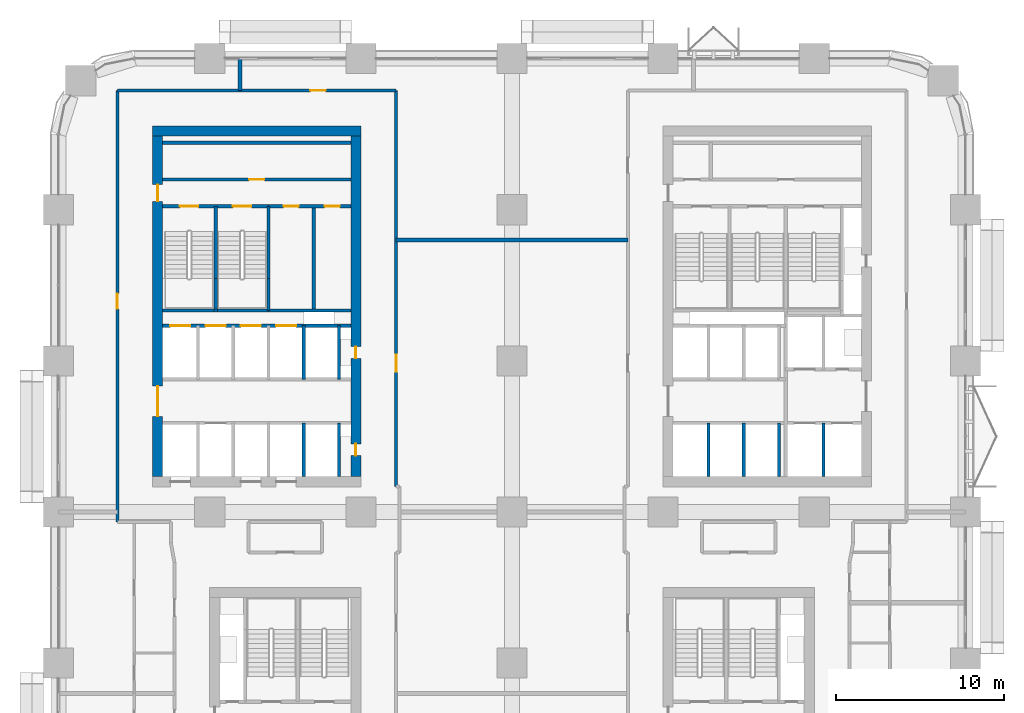
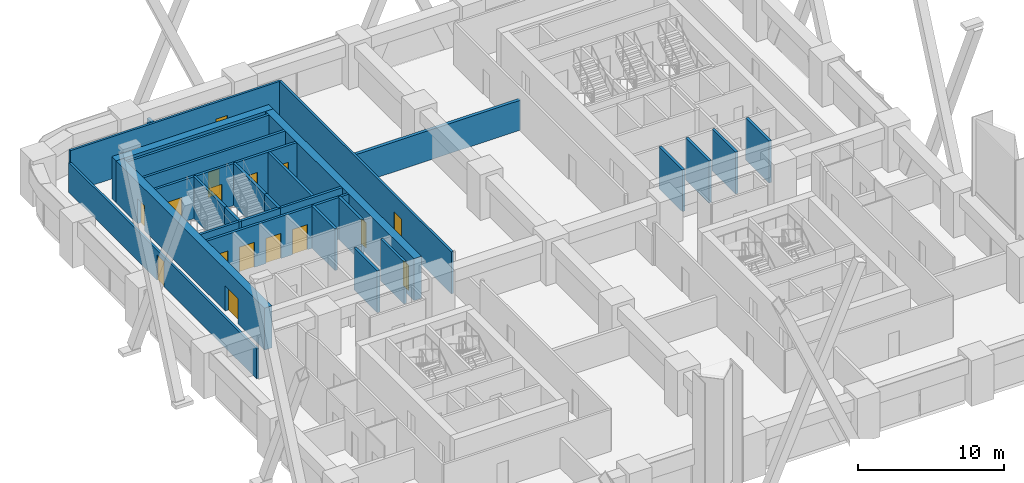
# One storey, part 18 of 24: 30 walls, 16 doors, 16 openings.
"""IFC4 building model written with IfcOpenShell, lengths in metres."""

import ifcopenshell
import ifcopenshell.guid

model = None  # the IFC model being written
_history = None  # IfcOwnerHistory: only IFC2X3 demands one
_inside = {}  # id of a spatial element -> (the spatial element, [elements in it])
_under = {}  # id of a project, library or spatial element -> (it, [spatial elements below it])
_declared = {}  # id of a project -> (the project, [libraries it declares])
_typed = {}  # id of a type object -> (the type object, [elements of that type])
_made_of = {}  # id of a material, layer set ... -> (it, [elements and type objects made of it])


def new_model(schema):
    """Start an empty IFC model of exactly this schema.

    Asked for "IFC4X3", IfcOpenShell would pick the latest addendum, in which some entities
    have other attributes; the version numbers below select the first issue.
    IFC2X3 requires an IfcOwnerHistory on every rooted entity: one is made here for all.
    """
    global model, _history
    if schema == "IFC4X3":
        model = ifcopenshell.file(schema_version=(4, 3, 0, 0))
    else:
        model = ifcopenshell.file(schema=schema)
    _inside.clear()
    _under.clear()
    _declared.clear()
    _typed.clear()
    _made_of.clear()
    _history = None
    if model.schema == "IFC2X3":
        org = make("IfcOrganization", Name="unknown")
        user = make(
            "IfcPersonAndOrganization",
            ThePerson=make("IfcPerson", FamilyName="unknown"),
            TheOrganization=org,
        )
        app = make(
            "IfcApplication",
            ApplicationDeveloper=org,
            Version="unknown",
            ApplicationFullName="unknown",
            ApplicationIdentifier="unknown",
        )
        _history = make(
            "IfcOwnerHistory",
            OwningUser=user,
            OwningApplication=app,
            ChangeAction="ADDED",
            CreationDate=0,
        )
    return model


def make(cls, **values):
    """One entity of the class cls with the attributes given. An attribute that is None is left unset."""
    return model.create_entity(
        cls, **{name: value for name, value in values.items() if value is not None}
    )


def rooted(cls, **values):
    """An entity with a GlobalId (a new one), such as an element, a storey or a relation."""
    return make(cls, GlobalId=ifcopenshell.guid.new(), OwnerHistory=_history, **values)


def si_unit(unit_type, name, prefix=None):
    """IfcSIUnit, for example si_unit("LENGTHUNIT", "METRE", prefix="MILLI")."""
    return make("IfcSIUnit", UnitType=unit_type, Prefix=prefix, Name=name)


def assignment(units):
    """IfcUnitAssignment: the units of a project."""
    return None if units is None else make("IfcUnitAssignment", Units=units)


def point(xyz):
    """IfcCartesianPoint."""
    return None if xyz is None else make("IfcCartesianPoint", Coordinates=xyz)


def direction(xyz):
    """IfcDirection."""
    return None if xyz is None else make("IfcDirection", DirectionRatios=xyz)


def frame(location, z_axis=None, x_axis=None):
    """IfcAxis2Placement3D, a coordinate frame: its origin and axes. An axis left out is left unset."""
    return make(
        "IfcAxis2Placement3D",
        Location=point(location),
        Axis=direction(z_axis),
        RefDirection=direction(x_axis),
    )


def frame_2d(location, x_axis=None):
    """IfcAxis2Placement2D, a coordinate frame in the plane: its origin and x axis."""
    return make(
        "IfcAxis2Placement2D", Location=point(location), RefDirection=direction(x_axis)
    )


def origin():
    """The frame at (0, 0, 0) with its axes left unset."""
    return frame((0.0, 0.0, 0.0))


def place(relative_to, where):
    """IfcLocalPlacement: puts the frame where relative to a parent placement (None: the world)."""
    return make(
        "IfcLocalPlacement", PlacementRelTo=relative_to, RelativePlacement=where
    )


def context(
    kind, dimensions, precision=None, world=None, true_north=None, identifier=None
):
    """IfcGeometricRepresentationContext, for example the 3D "Model" context."""
    return make(
        "IfcGeometricRepresentationContext",
        ContextIdentifier=identifier,
        ContextType=kind,
        CoordinateSpaceDimension=dimensions,
        Precision=precision,
        WorldCoordinateSystem=world,
        TrueNorth=true_north,
    )


def subcontext(parent, identifier, kind, view, scale=None):
    """IfcGeometricRepresentationSubContext, for example "Body" below "Model"."""
    return make(
        "IfcGeometricRepresentationSubContext",
        ContextIdentifier=identifier,
        ContextType=kind,
        ParentContext=parent,
        TargetScale=scale,
        TargetView=view,
    )


def project(units=None, contexts=None):
    """IfcProject with its units and contexts."""
    return rooted(
        "IfcProject",
        Name="project",
        RepresentationContexts=contexts,
        UnitsInContext=assignment(units),
    )


def spatial(cls, under=None, at=None, **own):
    """A site, building, storey or space (cls), placed at a placement, below another one or the project."""
    s = rooted(cls, ObjectPlacement=at, **own)
    if under is not None:
        _under.setdefault(under.id(), (under, []))[1].append(s)
    return s


def profile(cls, at=None, kind="AREA", **sizes):
    """A parametric profile (cls). Its sizes go by their IFC names, for example OverallWidth=200.0."""
    return make(cls, ProfileType=kind, Position=at, **sizes)


def rectangle(**sizes):
    """IfcRectangleProfileDef."""
    return profile("IfcRectangleProfileDef", **sizes)


def extrude(swept, where, along, depth):
    """IfcExtrudedAreaSolid: the profile swept, set in the frame where, extruded along a direction by depth."""
    return make(
        "IfcExtrudedAreaSolid",
        SweptArea=swept,
        Position=where,
        ExtrudedDirection=direction(along),
        Depth=depth,
    )


def shape(context_of_items, identifier, shape_type, items):
    """IfcShapeRepresentation: the items that make up one representation, for example the "Body"."""
    return make(
        "IfcShapeRepresentation",
        ContextOfItems=context_of_items,
        RepresentationIdentifier=identifier,
        RepresentationType=shape_type,
        Items=items,
    )


def material(Name=None, Category=None):
    """IfcMaterial."""
    return make("IfcMaterial", Name=Name, Category=Category)


def layer(
    of_material, thickness, ventilated=None, Name=None, Category=None, Priority=None
):
    """IfcMaterialLayer: one layer of a wall or slab, of a material (None: an air gap)."""
    return make(
        "IfcMaterialLayer",
        Material=of_material,
        LayerThickness=thickness,
        IsVentilated=ventilated,
        Name=Name,
        Category=Category,
        Priority=Priority,
    )


def layer_set(layers, Name=None):
    """IfcMaterialLayerSet."""
    return make("IfcMaterialLayerSet", MaterialLayers=layers, LayerSetName=Name)


def made_of(thing, what):
    """Note that an element or type object is made of a material, layer set ...; save() writes the relation."""
    if what is not None:
        _made_of.setdefault(what.id(), (what, []))[1].append(thing)
    return thing


def type_object(cls, material=None, **own):
    """A type object (cls), such as IfcWallType, which elements share."""
    return made_of(rooted(cls, **own), material)


def element(
    cls,
    number,
    at=None,
    inside=None,
    cuts=None,
    type_object=None,
    material=None,
    context=None,
    identifier="Body",
    shape_type=None,
    held_by="IfcProductDefinitionShape",
    body=None,
    shapes=None,
    **own,
):
    """One element of the class cls, such as IfcWall. Its Tag is "e" and its number.

    at: its placement. inside: the storey or other place that contains it. cuts: it is an
    opening in that element (IfcRelVoidsElement). A single representation is given by context,
    identifier, shape_type and body (its items); several are given by shapes. held_by: the class
    of the entity that holds the representations. save() writes the other relations.
    """
    e = rooted(cls, Tag="e%d" % number, ObjectPlacement=at, **own)
    if body is not None:
        shapes = [shape(context, identifier, shape_type, body)]
    if shapes is not None:
        e.Representation = make(held_by, Representations=shapes)
    if inside is not None:
        _inside.setdefault(inside.id(), (inside, []))[1].append(e)
    if cuts is not None:
        rooted(
            "IfcRelVoidsElement", RelatingBuildingElement=cuts, RelatedOpeningElement=e
        )
    if type_object is not None:
        _typed.setdefault(type_object.id(), (type_object, []))[1].append(e)
    return made_of(e, material)


def fill(opening, filler):
    """IfcRelFillsElement: the door or window that sits in an opening."""
    return rooted(
        "IfcRelFillsElement",
        RelatingOpeningElement=opening,
        RelatedBuildingElement=filler,
    )


def aggregate(whole, parts):
    """IfcRelAggregates: a whole, such as a stair, and the parts it consists of."""
    return rooted("IfcRelAggregates", RelatingObject=whole, RelatedObjects=parts)


def save(model, path):
    """Write the relations noted so far, then the file.

    IfcRelAggregates (storeys below a building ...), IfcRelContainedInSpatialStructure (elements
    in a storey), IfcRelDefinesByType, IfcRelAssociatesMaterial and IfcRelDeclares: one each for
    every whole, place, type object, material and project.
    """
    for whole, parts in _under.values():
        aggregate(whole, parts)
    for where, things in _inside.values():
        rooted(
            "IfcRelContainedInSpatialStructure",
            RelatedElements=things,
            RelatingStructure=where,
        )
    for kind, things in _typed.values():
        rooted("IfcRelDefinesByType", RelatedObjects=things, RelatingType=kind)
    for what, things in _made_of.values():
        rooted("IfcRelAssociatesMaterial", RelatedObjects=things, RelatingMaterial=what)
    for by, libraries in _declared.values():
        rooted("IfcRelDeclares", RelatingContext=by, RelatedDefinitions=libraries)
    model.write(path)


model = new_model("IFC4")

# Units and contexts
model_context = context("Model", 3, precision=1e-05, world=origin(), true_north=direction((0.0, 1.0)))
body_context = subcontext(model_context, "Body", "Model", "MODEL_VIEW")
ifc_project = project(units=[si_unit("LENGTHUNIT", "METRE"), si_unit("AREAUNIT", "SQUARE_METRE"), si_unit("VOLUMEUNIT", "CUBIC_METRE"), si_unit("PLANEANGLEUNIT", "RADIAN"), si_unit("MASSUNIT", "GRAM", prefix="KILO")], contexts=[model_context])

# Site, building, storey
site_placement = place(None, origin())
site = spatial("IfcSite", under=ifc_project, at=site_placement, CompositionType="ELEMENT")
building_placement = place(site_placement, origin())
building = spatial("IfcBuilding", under=site, at=building_placement, Name="Tessera Arch", CompositionType="ELEMENT")
storey_placement = place(building_placement, frame((0.0, 0.0, 61.39990234375)))
storey = spatial("IfcBuildingStorey", under=building, at=storey_placement, Name="L13", CompositionType="ELEMENT", Elevation=61.39990234375)

# Wall
ifc_material_1 = material(Name="Gypsum board on steel stud", Category="steel")
ifc_layer_1 = layer(ifc_material_1, 0.125)
ifc_layer_set_1 = layer_set([ifc_layer_1], Name="Core partition 125 EI 60")
wall_type_1 = type_object("IfcWallType", Name="Core partition 125 EI 60", PredefinedType="PARTITIONING", material=ifc_layer_set_1)
wall_1_placement = place(storey_placement, frame((15.195068359375, 39.0, 0.0), z_axis=(0.0, 0.0, 1.0), x_axis=(0.0, 1.0, 0.0)))
element("IfcWall", 1, at=wall_1_placement, inside=storey, type_object=wall_type_1, Name="L13 C2 partition wall 13", PredefinedType="PARTITIONING", context=body_context, shape_type="SweptSolid", body=[
    extrude(rectangle(XDim=6.199951171875, YDim=0.199951171875, at=frame_2d((3.10009765625, 0.0))), origin(), (0.0, 0.0, 1.0), 3.5),
])

# Wall, openings, doors
wall_2_placement = place(storey_placement, frame((12.5, 45.199951171875, 0.0), z_axis=(0.0, 0.0, 1.0), x_axis=(1.0, 0.0, 0.0)))
wall_2 = element("IfcWall", 2, at=wall_2_placement, inside=storey, type_object=wall_type_1, Name="L13 C2 partition wall 23", PredefinedType="PARTITIONING", context=body_context, shape_type="SweptSolid", body=[
    extrude(rectangle(XDim=4.89990234375, YDim=0.199951171875, at=frame_2d((2.449951171875, 0.0))), origin(), (0.0, 0.0, 1.0), 3.5),
])
opening_1_placement = place(wall_2_placement, frame((0.8974609375, 0.0, 0.0)))
opening_1 = element("IfcOpeningElement", 3, at=opening_1_placement, cuts=wall_2, Name="Opening L13-C29", PredefinedType="OPENING", context=body_context, shape_type="SweptSolid", body=[
    extrude(rectangle(XDim=0.89990234375, YDim=2.10009765625, at=frame_2d((0.449951171875, 1.050048828125))), frame((0.0, 0.10986328125, 0.0), z_axis=(0.0, -1.0, 0.0), x_axis=(1.0, 0.0, 0.0)), (0.0, 0.0, 1.0), 0.219970703125),
])
opening_2_placement = place(wall_2_placement, frame((3.347412109375, 0.0, 0.0)))
opening_2 = element("IfcOpeningElement", 4, at=opening_2_placement, cuts=wall_2, Name="Opening L13-C30", PredefinedType="OPENING", context=body_context, shape_type="SweptSolid", body=[
    extrude(rectangle(XDim=0.89990234375, YDim=2.10009765625, at=frame_2d((0.449951171875, 1.050048828125))), frame((0.0, 0.10986328125, 0.0), z_axis=(0.0, -1.0, 0.0), x_axis=(1.0, 0.0, 0.0)), (0.0, 0.0, 1.0), 0.219970703125),
])
ifc_material_2 = material(Name="Steel door leaf", Category="steel")
door_type_1 = type_object("IfcDoorType", Name="Store door FD30S 900 x 2100", OperationType="SINGLE_SWING_LEFT", PredefinedType="DOOR", material=ifc_material_2)
door_1_placement = place(opening_1_placement, origin())
door_1 = element("IfcDoor", 5, at=door_1_placement, inside=storey, type_object=door_type_1, Name="L13 C2 door 16 C29 type D09", OperationType="SINGLE_SWING_LEFT", OverallHeight=2.10009765625, OverallWidth=0.89990234375, PredefinedType="DOOR", context=body_context, shape_type="SweptSolid", body=[
    extrude(rectangle(XDim=0.89990234375, YDim=2.10009765625, at=frame_2d((0.449951171875, 1.050048828125))), frame((0.0, 0.02490234375, 0.0), z_axis=(0.0, -1.0, 0.0), x_axis=(1.0, 0.0, 0.0)), (0.0, 0.0, 1.0), 0.050048828125),
])
fill(opening_1, door_1)
door_2_placement = place(opening_2_placement, origin())
door_2 = element("IfcDoor", 6, at=door_2_placement, inside=storey, type_object=door_type_1, Name="L13 C2 door 17 C30 type D09", OperationType="SINGLE_SWING_RIGHT", OverallHeight=2.10009765625, OverallWidth=0.89990234375, PredefinedType="DOOR", context=body_context, shape_type="SweptSolid", body=[
    extrude(rectangle(XDim=0.89990234375, YDim=2.10009765625, at=frame_2d((0.449951171875, 1.050048828125))), frame((0.0, 0.02490234375, 0.0), z_axis=(0.0, -1.0, 0.0), x_axis=(1.0, 0.0, 0.0)), (0.0, 0.0, 1.0), 0.050048828125),
])
fill(opening_2, door_2)

# Wall, opening, door
wall_3_placement = place(storey_placement, frame((6.199951171875, 46.800048828125, 0.0), z_axis=(0.0, 0.0, 1.0), x_axis=(1.0, 0.0, 0.0)))
wall_3 = element("IfcWall", 7, at=wall_3_placement, inside=storey, type_object=wall_type_1, Name="L13 C2 partition wall 25", PredefinedType="PARTITIONING", context=body_context, shape_type="SweptSolid", body=[
    extrude(rectangle(XDim=11.199951171875, YDim=0.199951171875, at=frame_2d((5.60009765625, 0.0))), origin(), (0.0, 0.0, 1.0), 3.5),
])
opening_3_placement = place(wall_3_placement, frame((5.14990234375, 0.0, 0.0)))
opening_3 = element("IfcOpeningElement", 8, at=opening_3_placement, cuts=wall_3, Name="Opening L13-C28", PredefinedType="OPENING", context=body_context, shape_type="SweptSolid", body=[
    extrude(rectangle(XDim=0.89990234375, YDim=2.10009765625, at=frame_2d((0.449951171875, 1.050048828125))), frame((0.0, 0.10986328125, 0.0), z_axis=(0.0, -1.0, 0.0), x_axis=(1.0, 0.0, 0.0)), (0.0, 0.0, 1.0), 0.219970703125),
])
door_3_placement = place(opening_3_placement, origin())
door_3 = element("IfcDoor", 9, at=door_3_placement, inside=storey, type_object=door_type_1, Name="L13 C2 door 15 C28 type D09", OperationType="SINGLE_SWING_RIGHT", OverallHeight=2.10009765625, OverallWidth=0.89990234375, PredefinedType="DOOR", context=body_context, shape_type="SweptSolid", body=[
    extrude(rectangle(XDim=0.89990234375, YDim=2.10009765625, at=frame_2d((0.449951171875, 1.050048828125))), frame((0.0, 0.02490234375, 0.0), z_axis=(0.0, -1.0, 0.0), x_axis=(1.0, 0.0, 0.0)), (0.0, 0.0, 1.0), 0.050048828125),
])
fill(opening_3, door_3)

# Walls
wall_4_placement = place(storey_placement, frame((6.199951171875, 49.0, 0.0), z_axis=(0.0, 0.0, 1.0), x_axis=(1.0, 0.0, 0.0)))
element("IfcWall", 10, at=wall_4_placement, inside=storey, type_object=wall_type_1, Name="L13 C2 partition wall 26", PredefinedType="PARTITIONING", context=body_context, shape_type="SweptSolid", body=[
    extrude(rectangle(XDim=11.199951171875, YDim=0.199951171875, at=frame_2d((5.60009765625, 0.0))), origin(), (0.0, 0.0, 1.0), 3.5),
])
ifc_material_3 = material(Name="Concrete C70/85", Category="concrete")
ifc_layer_2 = layer(ifc_material_3, 0.60009765625)
ifc_layer_set_2 = layer_set([ifc_layer_2], Name="Core shell wall 600 C70-85")
wall_type_2 = type_object("IfcWallType", Name="Core shell wall 600 C70-85", PredefinedType="SHEAR", material=ifc_layer_set_2)
wall_5_placement = place(storey_placement, frame((5.60009765625, 49.699951171875, 0.0), z_axis=(0.0, 0.0, 1.0), x_axis=(1.0, 0.0, 0.0)))
element("IfcWall", 11, at=wall_5_placement, inside=storey, type_object=wall_type_2, Name="L13 C2 core wall N", PredefinedType="SHEAR", context=body_context, shape_type="SweptSolid", body=[
    extrude(rectangle(XDim=12.39990234375, YDim=0.60009765625, at=frame_2d((6.199951171875, 0.0))), origin(), (0.0, 0.0, 1.0), 3.5),
])

# Wall, openings, doors
wall_6_placement = place(storey_placement, frame((5.89990234375, 29.10009765625, 0.0), z_axis=(0.0, 0.0, 1.0), x_axis=(0.0, 1.0, 0.0)))
wall_6 = element("IfcWall", 12, at=wall_6_placement, inside=storey, type_object=wall_type_2, Name="L13 C2 core wall W", PredefinedType="SHEAR", context=body_context, shape_type="SweptSolid", body=[
    extrude(rectangle(XDim=20.2998046875, YDim=0.60009765625, at=frame_2d((10.14990234375, 0.0))), origin(), (0.0, 0.0, 1.0), 3.5),
])
opening_4_placement = place(wall_6_placement, frame((3.60009765625, 0.0, 0.0)))
opening_4 = element("IfcOpeningElement", 13, at=opening_4_placement, cuts=wall_6, Name="Opening L13-C24", PredefinedType="OPENING", context=body_context, shape_type="SweptSolid", body=[
    extrude(rectangle(XDim=1.800048828125, YDim=2.10009765625, at=frame_2d((0.89990234375, 1.050048828125))), frame((0.0, 0.31005859375, 0.0), z_axis=(0.0, -1.0, 0.0), x_axis=(1.0, 0.0, 0.0)), (0.0, 0.0, 1.0), 0.6201171875),
])
opening_5_placement = place(wall_6_placement, frame((16.39990234375, 0.0, 0.0)))
opening_5 = element("IfcOpeningElement", 14, at=opening_5_placement, cuts=wall_6, Name="Opening L13-C27", PredefinedType="OPENING", context=body_context, shape_type="SweptSolid", body=[
    extrude(rectangle(XDim=1.0, YDim=2.10009765625, at=frame_2d((0.5, 1.050048828125))), frame((0.0, 0.31005859375, 0.0), z_axis=(0.0, -1.0, 0.0), x_axis=(1.0, 0.0, 0.0)), (0.0, 0.0, 1.0), 0.6201171875),
])
ifc_material_4 = material(Name="Steel door leaf", Category="steel")
door_type_2 = type_object("IfcDoorType", Name="Corridor door FD60 1000 x 2100", OperationType="SINGLE_SWING_LEFT", PredefinedType="DOOR", material=ifc_material_4)
door_4_placement = place(opening_5_placement, origin())
door_4 = element("IfcDoor", 15, at=door_4_placement, inside=storey, type_object=door_type_2, Name="L13 C2 door 14 C27 type D12", OperationType="SINGLE_SWING_RIGHT", OverallHeight=2.10009765625, OverallWidth=1.0, PredefinedType="DOOR", context=body_context, shape_type="SweptSolid", body=[
    extrude(rectangle(XDim=1.0, YDim=2.10009765625, at=frame_2d((0.5, 1.050048828125))), frame((0.0, 0.02490234375, 0.0), z_axis=(0.0, -1.0, 0.0), x_axis=(1.0, 0.0, 0.0)), (0.0, 0.0, 1.0), 0.050048828125),
])
fill(opening_5, door_4)
ifc_material_5 = material(Name="Glazed steel door leaf", Category="steel")
door_type_3 = type_object("IfcDoorType", Name="Lobby double door FD30S 1800 x 2100", OperationType="DOUBLE_DOOR_SINGLE_SWING", PredefinedType="DOOR", material=ifc_material_5)
door_5_placement = place(opening_4_placement, origin())
door_5 = element("IfcDoor", 16, at=door_5_placement, inside=storey, type_object=door_type_3, Name="L13 C2 door 11 C24 type D06", OperationType="DOUBLE_DOOR_SINGLE_SWING", OverallHeight=2.10009765625, OverallWidth=1.800048828125, PredefinedType="DOOR", context=body_context, shape_type="SweptSolid", body=[
    extrude(rectangle(XDim=1.800048828125, YDim=2.10009765625, at=frame_2d((0.89990234375, 1.050048828125))), frame((0.0, 0.02490234375, 0.0), z_axis=(0.0, -1.0, 0.0), x_axis=(1.0, 0.0, 0.0)), (0.0, 0.0, 1.0), 0.050048828125),
])
fill(opening_4, door_5)

wall_7_placement = place(storey_placement, frame((17.699951171875, 29.10009765625, 0.0), z_axis=(0.0, 0.0, 1.0), x_axis=(0.0, 1.0, 0.0)))
wall_7 = element("IfcWall", 17, at=wall_7_placement, inside=storey, type_object=wall_type_2, Name="L13 C2 core wall E", PredefinedType="SHEAR", context=body_context, shape_type="SweptSolid", body=[
    extrude(rectangle(XDim=20.2998046875, YDim=0.60009765625, at=frame_2d((10.14990234375, 0.0))), origin(), (0.0, 0.0, 1.0), 3.5),
])
opening_6_placement = place(wall_7_placement, frame((1.25, 0.0, 0.0)))
opening_6 = element("IfcOpeningElement", 18, at=opening_6_placement, cuts=wall_7, Name="Opening L13-C22", PredefinedType="OPENING", context=body_context, shape_type="SweptSolid", body=[
    extrude(rectangle(XDim=0.699951171875, YDim=2.10009765625, at=frame_2d((0.35009765625, 1.050048828125))), frame((0.0, 0.31005859375, 0.0), z_axis=(0.0, -1.0, 0.0), x_axis=(1.0, 0.0, 0.0)), (0.0, 0.0, 1.0), 0.6201171875),
])
opening_7_placement = place(wall_7_placement, frame((7.050048828125, 0.0, 0.0)))
opening_7 = element("IfcOpeningElement", 19, at=opening_7_placement, cuts=wall_7, Name="Opening L13-C23", PredefinedType="OPENING", context=body_context, shape_type="SweptSolid", body=[
    extrude(rectangle(XDim=0.699951171875, YDim=2.10009765625, at=frame_2d((0.35009765625, 1.050048828125))), frame((0.0, 0.31005859375, 0.0), z_axis=(0.0, -1.0, 0.0), x_axis=(1.0, 0.0, 0.0)), (0.0, 0.0, 1.0), 0.6201171875),
])
ifc_material_6 = material(Name="Steel door leaf", Category="steel")
door_type_4 = type_object("IfcDoorType", Name="Service shaft door FD60 700 x 2100", OperationType="SINGLE_SWING_LEFT", PredefinedType="DOOR", material=ifc_material_6)
door_6_placement = place(opening_6_placement, origin())
door_6 = element("IfcDoor", 20, at=door_6_placement, inside=storey, type_object=door_type_4, Name="L13 C2 door 9 C22 type D07", OperationType="SINGLE_SWING_LEFT", OverallHeight=2.10009765625, OverallWidth=0.699951171875, PredefinedType="DOOR", context=body_context, shape_type="SweptSolid", body=[
    extrude(rectangle(XDim=0.699951171875, YDim=2.10009765625, at=frame_2d((0.35009765625, 1.050048828125))), frame((0.0, 0.02490234375, 0.0), z_axis=(0.0, -1.0, 0.0), x_axis=(1.0, 0.0, 0.0)), (0.0, 0.0, 1.0), 0.050048828125),
])
fill(opening_6, door_6)
door_7_placement = place(opening_7_placement, origin())
door_7 = element("IfcDoor", 21, at=door_7_placement, inside=storey, type_object=door_type_4, Name="L13 C2 door 10 C23 type D07", OperationType="SINGLE_SWING_LEFT", OverallHeight=2.10009765625, OverallWidth=0.699951171875, PredefinedType="DOOR", context=body_context, shape_type="SweptSolid", body=[
    extrude(rectangle(XDim=0.699951171875, YDim=2.10009765625, at=frame_2d((0.35009765625, 1.050048828125))), frame((0.0, 0.02490234375, 0.0), z_axis=(0.0, -1.0, 0.0), x_axis=(1.0, 0.0, 0.0)), (0.0, 0.0, 1.0), 0.050048828125),
])
fill(opening_7, door_7)

# Wall, opening, door
ifc_material_7 = material(Name="Gypsum board on deep steel stud with mineral wool", Category="steel")
ifc_layer_3 = layer(ifc_material_7, 0.175048828125)
ifc_layer_set_3 = layer_set([ifc_layer_3], Name="Corridor wall 175 EI 60")
wall_type_3 = type_object("IfcWallType", Name="Corridor wall 175 EI 60", PredefinedType="PARTITIONING", material=ifc_layer_set_3)
wall_8_placement = place(storey_placement, frame((3.5, 52.10009765625, 0.0), z_axis=(0.0, 0.0, 1.0), x_axis=(1.0, 0.0, 0.0)))
wall_8 = element("IfcWall", 22, at=wall_8_placement, inside=storey, type_object=wall_type_3, Name="L13 partition 13", PredefinedType="PARTITIONING", context=body_context, shape_type="SweptSolid", body=[
    extrude(rectangle(XDim=16.60009765625, YDim=0.175048828125, at=frame_2d((8.300048828125, 0.0))), origin(), (0.0, 0.0, 1.0), 3.5),
])
opening_8_placement = place(wall_8_placement, frame((11.5, 0.0, 0.0)))
opening_8 = element("IfcOpeningElement", 23, at=opening_8_placement, cuts=wall_8, Name="Opening L13-D026", PredefinedType="OPENING", context=body_context, shape_type="SweptSolid", body=[
    extrude(rectangle(XDim=0.89990234375, YDim=2.10009765625, at=frame_2d((0.449951171875, 1.050048828125))), frame((0.0, 0.097412109375, 0.0), z_axis=(0.0, -1.0, 0.0), x_axis=(1.0, 0.0, 0.0)), (0.0, 0.0, 1.0), 0.195068359375),
])
ifc_material_8 = material(Name="Timber door leaf", Category="wood")
door_type_5 = type_object("IfcDoorType", Name="Room door 900 x 2100", OperationType="SINGLE_SWING_LEFT", PredefinedType="DOOR", material=ifc_material_8)
door_8_placement = place(opening_8_placement, origin())
door_8 = element("IfcDoor", 24, at=door_8_placement, inside=storey, type_object=door_type_5, Name="L13 door D026 type D01", OperationType="SINGLE_SWING_RIGHT", OverallHeight=2.10009765625, OverallWidth=0.89990234375, PredefinedType="DOOR", context=body_context, shape_type="SweptSolid", body=[
    extrude(rectangle(XDim=0.89990234375, YDim=2.10009765625, at=frame_2d((0.449951171875, 1.050048828125))), frame((0.0, 0.02490234375, 0.0), z_axis=(0.0, -1.0, 0.0), x_axis=(1.0, 0.0, 0.0)), (0.0, 0.0, 1.0), 0.050048828125),
])
fill(opening_8, door_8)

wall_9_placement = place(storey_placement, frame((3.5, 26.39990234375, 0.0), z_axis=(0.0, 0.0, 1.0), x_axis=(0.0, 1.0, 0.0)))
wall_9 = element("IfcWall", 25, at=wall_9_placement, inside=storey, type_object=wall_type_3, Name="L13 partition 15", PredefinedType="PARTITIONING", context=body_context, shape_type="SweptSolid", body=[
    extrude(rectangle(XDim=25.7001953125, YDim=0.175048828125, at=frame_2d((12.85009765625, 0.0))), origin(), (0.0, 0.0, 1.0), 2.5),
])
opening_9_placement = place(wall_9_placement, frame((12.699951171875, 0.0, 0.0)))
opening_9 = element("IfcOpeningElement", 26, at=opening_9_placement, cuts=wall_9, Name="Opening L13-D023", PredefinedType="OPENING", context=body_context, shape_type="SweptSolid", body=[
    extrude(rectangle(XDim=0.89990234375, YDim=2.10009765625, at=frame_2d((0.449951171875, 1.050048828125))), frame((0.0, 0.097412109375, 0.0), z_axis=(0.0, -1.0, 0.0), x_axis=(1.0, 0.0, 0.0)), (0.0, 0.0, 1.0), 0.195068359375),
])
door_9_placement = place(opening_9_placement, origin())
door_9 = element("IfcDoor", 27, at=door_9_placement, inside=storey, type_object=door_type_5, Name="L13 door D023 type D01", OperationType="SINGLE_SWING_LEFT", OverallHeight=2.10009765625, OverallWidth=0.89990234375, PredefinedType="DOOR", context=body_context, shape_type="SweptSolid", body=[
    extrude(rectangle(XDim=0.89990234375, YDim=2.10009765625, at=frame_2d((0.449951171875, 1.050048828125))), frame((0.0, 0.02490234375, 0.0), z_axis=(0.0, -1.0, 0.0), x_axis=(1.0, 0.0, 0.0)), (0.0, 0.0, 1.0), 0.050048828125),
])
fill(opening_9, door_9)

wall_10_placement = place(storey_placement, frame((20.10009765625, 28.52001953125, 0.0), z_axis=(0.0, 0.0, 1.0), x_axis=(0.0, 1.0, 0.0)))
wall_10 = element("IfcWall", 28, at=wall_10_placement, inside=storey, type_object=wall_type_3, Name="L13 partition 21", PredefinedType="PARTITIONING", context=body_context, shape_type="SweptSolid", body=[
    extrude(rectangle(XDim=23.580078125, YDim=0.175048828125, at=frame_2d((11.7900390625, 0.0))), origin(), (0.0, 0.0, 1.0), 3.5),
])
opening_10_placement = place(wall_10_placement, frame((6.840087890625, 0.0, 0.0)))
opening_10 = element("IfcOpeningElement", 29, at=opening_10_placement, cuts=wall_10, Name="Opening L13-D021", PredefinedType="OPENING", context=body_context, shape_type="SweptSolid", body=[
    extrude(rectangle(XDim=1.0, YDim=2.10009765625, at=frame_2d((0.5, 1.050048828125))), frame((0.0, 0.097412109375, 0.0), z_axis=(0.0, -1.0, 0.0), x_axis=(1.0, 0.0, 0.0)), (0.0, 0.0, 1.0), 0.195068359375),
])
ifc_material_9 = material(Name="Fire-rated door leaf")
door_type_6 = type_object("IfcDoorType", Name="Entrance door FD30S 1000 x 2100", OperationType="SINGLE_SWING_LEFT", PredefinedType="DOOR", material=ifc_material_9)
door_10_placement = place(opening_10_placement, origin())
door_10 = element("IfcDoor", 30, at=door_10_placement, inside=storey, type_object=door_type_6, Name="L13 door D021 type D03", OperationType="SINGLE_SWING_RIGHT", OverallHeight=2.10009765625, OverallWidth=1.0, PredefinedType="DOOR", context=body_context, shape_type="SweptSolid", body=[
    extrude(rectangle(XDim=1.0, YDim=2.10009765625, at=frame_2d((0.5, 1.050048828125))), frame((0.0, 0.02490234375, 0.0), z_axis=(0.0, -1.0, 0.0), x_axis=(1.0, 0.0, 0.0)), (0.0, 0.0, 1.0), 0.050048828125),
])
fill(opening_10, door_10)

# Walls
ifc_material_10 = material(Name="Double gypsum board on twin steel stud with acoustic mineral wool", Category="steel")
ifc_layer_4 = layer(ifc_material_10, 0.25)
ifc_layer_set_4 = layer_set([ifc_layer_4], Name="Party wall 250 EI 60")
wall_type_4 = type_object("IfcWallType", Name="Party wall 250 EI 60", PredefinedType="PARTITIONING", material=ifc_layer_set_4)
wall_11_placement = place(storey_placement, frame((20.10009765625, 43.199951171875, 0.0), z_axis=(0.0, 0.0, 1.0), x_axis=(1.0, 0.0, 0.0)))
element("IfcWall", 31, at=wall_11_placement, inside=storey, type_object=wall_type_4, Name="L13 partition 43", PredefinedType="PARTITIONING", context=body_context, shape_type="SweptSolid", body=[
    extrude(rectangle(XDim=13.7998046875, YDim=0.25, at=frame_2d((6.89990234375, 0.0))), origin(), (0.0, 0.0, 1.0), 2.5),
])
wall_12_placement = place(storey_placement, frame((10.800048828125, 52.10009765625, 0.0), z_axis=(0.0, 0.0, 1.0), x_axis=(0.0, 1.0, 0.0)))
element("IfcWall", 32, at=wall_12_placement, inside=storey, type_object=wall_type_4, Name="L13 partition 44", PredefinedType="PARTITIONING", context=body_context, shape_type="SweptSolid", body=[
    extrude(rectangle(XDim=1.89990234375, YDim=0.25, at=frame_2d((0.949951171875, 0.0))), origin(), (0.0, 0.0, 1.0), 2.5),
])
ifc_material_11 = material(Name="Concrete C40/50", Category="concrete")
ifc_layer_5 = layer(ifc_material_11, 0.199951171875)
ifc_layer_set_5 = layer_set([ifc_layer_5], Name="Shaft wall 200 EI 120")
wall_type_5 = type_object("IfcWallType", Name="Shaft wall 200 EI 120", PredefinedType="SOLIDWALL", material=ifc_layer_set_5)
for number, where, z_axis, x_axis, name in (
    (33, (38.699951171875, 29.10009765625, 0.0), (0.0, 0.0, 1.0), (0.0, 1.0, 0.0), "L13 C1 shaft wall 1"),
    (34, (40.800048828125, 29.10009765625, 0.0), (0.0, 0.0, 1.0), (0.0, 1.0, 0.0), "L13 C1 shaft wall 6"),
    (35, (42.89990234375, 29.10009765625, 0.0), (0.0, 0.0, 1.0), (0.0, 1.0, 0.0), "L13 C1 shaft wall 8"),
    (36, (45.550048828125, 29.10009765625, 0.0), (0.0, 0.0, 1.0), (0.0, 1.0, 0.0), "L13 C1 shaft wall 13"),
    (37, (14.60009765625, 29.10009765625, 0.0), (0.0, 0.0, 1.0), (0.0, 1.0, 0.0), "L13 C2 shaft wall 11"),
):
    element("IfcWall", number, at=place(storey_placement, frame(where, z_axis=z_axis, x_axis=x_axis)), inside=storey, type_object=wall_type_5, Name=name, PredefinedType="SOLIDWALL", context=body_context, shape_type="SweptSolid", body=[
        extrude(rectangle(XDim=3.199951171875, YDim=0.199951171875, at=frame_2d((1.60009765625, 0.0))), origin(), (0.0, 0.0, 1.0), 3.5),
    ])
wall_13_placement = place(storey_placement, frame((14.60009765625, 34.89990234375, 0.0), z_axis=(0.0, 0.0, 1.0), x_axis=(0.0, 1.0, 0.0)))
element("IfcWall", 38, at=wall_13_placement, inside=storey, type_object=wall_type_5, Name="L13 C2 shaft wall 12", PredefinedType="SOLIDWALL", context=body_context, shape_type="SweptSolid", body=[
    extrude(rectangle(XDim=3.2001953125, YDim=0.199951171875, at=frame_2d((1.60009765625, 0.0))), origin(), (0.0, 0.0, 1.0), 3.5),
])
wall_14_placement = place(storey_placement, frame((16.699951171875, 29.10009765625, 0.0), z_axis=(0.0, 0.0, 1.0), x_axis=(0.0, 1.0, 0.0)))
element("IfcWall", 39, at=wall_14_placement, inside=storey, type_object=wall_type_5, Name="L13 C2 shaft wall 14", PredefinedType="SOLIDWALL", context=body_context, shape_type="SweptSolid", body=[
    extrude(rectangle(XDim=3.199951171875, YDim=0.199951171875, at=frame_2d((1.60009765625, 0.0))), origin(), (0.0, 0.0, 1.0), 3.5),
])
wall_15_placement = place(storey_placement, frame((16.699951171875, 34.89990234375, 0.0), z_axis=(0.0, 0.0, 1.0), x_axis=(0.0, 1.0, 0.0)))
element("IfcWall", 40, at=wall_15_placement, inside=storey, type_object=wall_type_5, Name="L13 C2 shaft wall 15", PredefinedType="SOLIDWALL", context=body_context, shape_type="SweptSolid", body=[
    extrude(rectangle(XDim=3.2001953125, YDim=0.199951171875, at=frame_2d((1.60009765625, 0.0))), origin(), (0.0, 0.0, 1.0), 3.5),
])

# Wall, openings, doors
wall_16_placement = place(storey_placement, frame((6.199951171875, 38.10009765625, 0.0), z_axis=(0.0, 0.0, 1.0), x_axis=(1.0, 0.0, 0.0)))
wall_16 = element("IfcWall", 41, at=wall_16_placement, inside=storey, type_object=wall_type_5, Name="L13 C2 shaft wall 18", PredefinedType="SOLIDWALL", context=body_context, shape_type="SweptSolid", body=[
    extrude(rectangle(XDim=11.199951171875, YDim=0.199951171875, at=frame_2d((5.60009765625, 0.0))), origin(), (0.0, 0.0, 1.0), 3.5),
])
opening_11_placement = place(wall_16_placement, frame((0.449951171875, 0.0, 0.0)))
opening_11 = element("IfcOpeningElement", 42, at=opening_11_placement, cuts=wall_16, Name="Opening L13-C18", PredefinedType="OPENING", context=body_context, shape_type="SweptSolid", body=[
    extrude(rectangle(XDim=1.199951171875, YDim=2.10009765625, at=frame_2d((0.60009765625, 1.050048828125))), frame((0.0, 0.10986328125, 0.0), z_axis=(0.0, -1.0, 0.0), x_axis=(1.0, 0.0, 0.0)), (0.0, 0.0, 1.0), 0.219970703125),
])
opening_12_placement = place(wall_16_placement, frame((2.550048828125, 0.0, 0.0)))
opening_12 = element("IfcOpeningElement", 43, at=opening_12_placement, cuts=wall_16, Name="Opening L13-C19", PredefinedType="OPENING", context=body_context, shape_type="SweptSolid", body=[
    extrude(rectangle(XDim=1.199951171875, YDim=2.10009765625, at=frame_2d((0.60009765625, 1.050048828125))), frame((0.0, 0.10986328125, 0.0), z_axis=(0.0, -1.0, 0.0), x_axis=(1.0, 0.0, 0.0)), (0.0, 0.0, 1.0), 0.219970703125),
])
opening_13_placement = place(wall_16_placement, frame((4.64990234375, 0.0, 0.0)))
opening_13 = element("IfcOpeningElement", 44, at=opening_13_placement, cuts=wall_16, Name="Opening L13-C20", PredefinedType="OPENING", context=body_context, shape_type="SweptSolid", body=[
    extrude(rectangle(XDim=1.199951171875, YDim=2.10009765625, at=frame_2d((0.60009765625, 1.050048828125))), frame((0.0, 0.10986328125, 0.0), z_axis=(0.0, -1.0, 0.0), x_axis=(1.0, 0.0, 0.0)), (0.0, 0.0, 1.0), 0.219970703125),
])
opening_14_placement = place(wall_16_placement, frame((6.75, 0.0, 0.0)))
opening_14 = element("IfcOpeningElement", 45, at=opening_14_placement, cuts=wall_16, Name="Opening L13-C21", PredefinedType="OPENING", context=body_context, shape_type="SweptSolid", body=[
    extrude(rectangle(XDim=1.199951171875, YDim=2.10009765625, at=frame_2d((0.60009765625, 1.050048828125))), frame((0.0, 0.10986328125, 0.0), z_axis=(0.0, -1.0, 0.0), x_axis=(1.0, 0.0, 0.0)), (0.0, 0.0, 1.0), 0.219970703125),
])
ifc_material_12 = material(Name="Stainless steel AISI 304", Category="steel")
door_type_7 = type_object("IfcDoorType", Name="Sliding landing door 1200 x 2100", OperationType="SLIDING_TO_LEFT", PredefinedType="DOOR", material=ifc_material_12)
door_11_placement = place(opening_11_placement, origin())
door_11 = element("IfcDoor", 46, at=door_11_placement, inside=storey, type_object=door_type_7, Name="L13 LR5 lift landing door C18 type LD", OperationType="SLIDING_TO_LEFT", OverallHeight=2.10009765625, OverallWidth=1.199951171875, PredefinedType="DOOR", context=body_context, shape_type="SweptSolid", body=[
    extrude(rectangle(XDim=1.199951171875, YDim=2.10009765625, at=frame_2d((0.60009765625, 1.050048828125))), frame((0.0, 0.02490234375, 0.0), z_axis=(0.0, -1.0, 0.0), x_axis=(1.0, 0.0, 0.0)), (0.0, 0.0, 1.0), 0.050048828125),
])
fill(opening_11, door_11)
door_12_placement = place(opening_12_placement, origin())
door_12 = element("IfcDoor", 47, at=door_12_placement, inside=storey, type_object=door_type_7, Name="L13 LR6 lift landing door C19 type LD", OperationType="SLIDING_TO_LEFT", OverallHeight=2.10009765625, OverallWidth=1.199951171875, PredefinedType="DOOR", context=body_context, shape_type="SweptSolid", body=[
    extrude(rectangle(XDim=1.199951171875, YDim=2.10009765625, at=frame_2d((0.60009765625, 1.050048828125))), frame((0.0, 0.02490234375, 0.0), z_axis=(0.0, -1.0, 0.0), x_axis=(1.0, 0.0, 0.0)), (0.0, 0.0, 1.0), 0.050048828125),
])
fill(opening_12, door_12)
door_13_placement = place(opening_13_placement, origin())
door_13 = element("IfcDoor", 48, at=door_13_placement, inside=storey, type_object=door_type_7, Name="L13 LR7 lift landing door C20 type LD", OperationType="SLIDING_TO_LEFT", OverallHeight=2.10009765625, OverallWidth=1.199951171875, PredefinedType="DOOR", context=body_context, shape_type="SweptSolid", body=[
    extrude(rectangle(XDim=1.199951171875, YDim=2.10009765625, at=frame_2d((0.60009765625, 1.050048828125))), frame((0.0, 0.02490234375, 0.0), z_axis=(0.0, -1.0, 0.0), x_axis=(1.0, 0.0, 0.0)), (0.0, 0.0, 1.0), 0.050048828125),
])
fill(opening_13, door_13)
door_14_placement = place(opening_14_placement, origin())
door_14 = element("IfcDoor", 49, at=door_14_placement, inside=storey, type_object=door_type_7, Name="L13 LR8 lift landing door C21 type LD", OperationType="SLIDING_TO_LEFT", OverallHeight=2.10009765625, OverallWidth=1.199951171875, PredefinedType="DOOR", context=body_context, shape_type="SweptSolid", body=[
    extrude(rectangle(XDim=1.199951171875, YDim=2.10009765625, at=frame_2d((0.60009765625, 1.050048828125))), frame((0.0, 0.02490234375, 0.0), z_axis=(0.0, -1.0, 0.0), x_axis=(1.0, 0.0, 0.0)), (0.0, 0.0, 1.0), 0.050048828125),
])
fill(opening_14, door_14)

# Walls
wall_17_placement = place(storey_placement, frame((12.5, 39.0, 0.0), z_axis=(0.0, 0.0, 1.0), x_axis=(1.0, 0.0, 0.0)))
element("IfcWall", 50, at=wall_17_placement, inside=storey, type_object=wall_type_5, Name="L13 C2 shaft wall 19", PredefinedType="SOLIDWALL", context=body_context, shape_type="SweptSolid", body=[
    extrude(rectangle(XDim=4.89990234375, YDim=0.199951171875, at=frame_2d((2.449951171875, 0.0))), origin(), (0.0, 0.0, 1.0), 3.5),
])
ifc_material_13 = material(Name="Concrete C40/50", Category="concrete")
ifc_layer_6 = layer(ifc_material_13, 0.199951171875)
ifc_layer_set_6 = layer_set([ifc_layer_6], Name="Stair well wall 200 REI 180")
wall_type_6 = type_object("IfcWallType", Name="Stair well wall 200 REI 180", PredefinedType="SOLIDWALL", material=ifc_layer_set_6)
wall_18_placement = place(storey_placement, frame((9.35009765625, 39.0, 0.0), z_axis=(0.0, 0.0, 1.0), x_axis=(0.0, 1.0, 0.0)))
element("IfcWall", 51, at=wall_18_placement, inside=storey, type_object=wall_type_6, Name="L13 C2 shaft wall 3", PredefinedType="SOLIDWALL", context=body_context, shape_type="SweptSolid", body=[
    extrude(rectangle(XDim=1.89990234375, YDim=0.199951171875, at=frame_2d((0.949951171875, 0.0))), origin(), (0.0, 0.0, 1.0), 3.5),
])
wall_19_placement = place(storey_placement, frame((9.35009765625, 40.89990234375, 0.0), z_axis=(0.0, 0.0, 1.0), x_axis=(0.0, 1.0, 0.0)))
element("IfcWall", 52, at=wall_19_placement, inside=storey, type_object=wall_type_6, Name="L13 C2 shaft wall 4", PredefinedType="SOLIDWALL", context=body_context, shape_type="SweptSolid", body=[
    extrude(rectangle(XDim=4.300048828125, YDim=0.199951171875, at=frame_2d((2.14990234375, 0.0))), origin(), (0.0, 0.0, 1.0), 3.5),
])
wall_20_placement = place(storey_placement, frame((12.5, 39.0, 0.0), z_axis=(0.0, 0.0, 1.0), x_axis=(0.0, 1.0, 0.0)))
element("IfcWall", 53, at=wall_20_placement, inside=storey, type_object=wall_type_6, Name="L13 C2 shaft wall 9", PredefinedType="SOLIDWALL", context=body_context, shape_type="SweptSolid", body=[
    extrude(rectangle(XDim=1.89990234375, YDim=0.199951171875, at=frame_2d((0.949951171875, 0.0))), origin(), (0.0, 0.0, 1.0), 3.5),
])
wall_21_placement = place(storey_placement, frame((12.5, 40.89990234375, 0.0), z_axis=(0.0, 0.0, 1.0), x_axis=(0.0, 1.0, 0.0)))
element("IfcWall", 54, at=wall_21_placement, inside=storey, type_object=wall_type_6, Name="L13 C2 shaft wall 10", PredefinedType="SOLIDWALL", context=body_context, shape_type="SweptSolid", body=[
    extrude(rectangle(XDim=4.300048828125, YDim=0.199951171875, at=frame_2d((2.14990234375, 0.0))), origin(), (0.0, 0.0, 1.0), 3.5),
])
wall_22_placement = place(storey_placement, frame((6.199951171875, 39.0, 0.0), z_axis=(0.0, 0.0, 1.0), x_axis=(1.0, 0.0, 0.0)))
element("IfcWall", 55, at=wall_22_placement, inside=storey, type_object=wall_type_6, Name="L13 C2 shaft wall 20", PredefinedType="SOLIDWALL", context=body_context, shape_type="SweptSolid", body=[
    extrude(rectangle(XDim=3.050048828125, YDim=0.199951171875, at=frame_2d((1.52490234375, 0.0))), origin(), (0.0, 0.0, 1.0), 3.5),
])
wall_23_placement = place(storey_placement, frame((9.25, 39.0, 0.0), z_axis=(0.0, 0.0, 1.0), x_axis=(1.0, 0.0, 0.0)))
element("IfcWall", 56, at=wall_23_placement, inside=storey, type_object=wall_type_6, Name="L13 C2 shaft wall 21", PredefinedType="SOLIDWALL", context=body_context, shape_type="SweptSolid", body=[
    extrude(rectangle(XDim=0.199951171875, YDim=0.199951171875, at=frame_2d((0.10009765625, 0.0))), origin(), (0.0, 0.0, 1.0), 3.5),
])
wall_24_placement = place(storey_placement, frame((9.449951171875, 39.0, 0.0), z_axis=(0.0, 0.0, 1.0), x_axis=(1.0, 0.0, 0.0)))
element("IfcWall", 57, at=wall_24_placement, inside=storey, type_object=wall_type_6, Name="L13 C2 shaft wall 22", PredefinedType="SOLIDWALL", context=body_context, shape_type="SweptSolid", body=[
    extrude(rectangle(XDim=3.050048828125, YDim=0.199951171875, at=frame_2d((1.52490234375, 0.0))), origin(), (0.0, 0.0, 1.0), 3.5),
])

# Wall, openings, doors
wall_25_placement = place(storey_placement, frame((6.199951171875, 45.199951171875, 0.0), z_axis=(0.0, 0.0, 1.0), x_axis=(1.0, 0.0, 0.0)))
wall_25 = element("IfcWall", 58, at=wall_25_placement, inside=storey, type_object=wall_type_6, Name="L13 C2 shaft wall 24", PredefinedType="SOLIDWALL", context=body_context, shape_type="SweptSolid", body=[
    extrude(rectangle(XDim=6.300048828125, YDim=0.199951171875, at=frame_2d((3.14990234375, 0.0))), origin(), (0.0, 0.0, 1.0), 3.5),
])
opening_15_placement = place(wall_25_placement, frame((1.02490234375, 0.0, 0.0)))
opening_15 = element("IfcOpeningElement", 59, at=opening_15_placement, cuts=wall_25, Name="Opening L13-C25", PredefinedType="OPENING", context=body_context, shape_type="SweptSolid", body=[
    extrude(rectangle(XDim=1.10009765625, YDim=2.10009765625, at=frame_2d((0.550048828125, 1.050048828125))), frame((0.0, 0.10986328125, 0.0), z_axis=(0.0, -1.0, 0.0), x_axis=(1.0, 0.0, 0.0)), (0.0, 0.0, 1.0), 0.219970703125),
])
opening_16_placement = place(wall_25_placement, frame((4.175048828125, 0.0, 0.0)))
opening_16 = element("IfcOpeningElement", 60, at=opening_16_placement, cuts=wall_25, Name="Opening L13-C26", PredefinedType="OPENING", context=body_context, shape_type="SweptSolid", body=[
    extrude(rectangle(XDim=1.10009765625, YDim=2.10009765625, at=frame_2d((0.550048828125, 1.050048828125))), frame((0.0, 0.10986328125, 0.0), z_axis=(0.0, -1.0, 0.0), x_axis=(1.0, 0.0, 0.0)), (0.0, 0.0, 1.0), 0.219970703125),
])
ifc_material_14 = material(Name="Steel door leaf", Category="steel")
door_type_8 = type_object("IfcDoorType", Name="Stair door FD60 1100 x 2100", OperationType="SINGLE_SWING_LEFT", PredefinedType="DOOR", material=ifc_material_14)
door_15_placement = place(opening_15_placement, origin())
door_15 = element("IfcDoor", 61, at=door_15_placement, inside=storey, type_object=door_type_8, Name="L13 C2 door 12 C25 type D05", OperationType="SINGLE_SWING_LEFT", OverallHeight=2.10009765625, OverallWidth=1.10009765625, PredefinedType="DOOR", context=body_context, shape_type="SweptSolid", body=[
    extrude(rectangle(XDim=1.10009765625, YDim=2.10009765625, at=frame_2d((0.550048828125, 1.050048828125))), frame((0.0, 0.02490234375, 0.0), z_axis=(0.0, -1.0, 0.0), x_axis=(1.0, 0.0, 0.0)), (0.0, 0.0, 1.0), 0.050048828125),
])
fill(opening_15, door_15)
door_16_placement = place(opening_16_placement, origin())
door_16 = element("IfcDoor", 62, at=door_16_placement, inside=storey, type_object=door_type_8, Name="L13 C2 door 13 C26 type D05", OperationType="SINGLE_SWING_RIGHT", OverallHeight=2.10009765625, OverallWidth=1.10009765625, PredefinedType="DOOR", context=body_context, shape_type="SweptSolid", body=[
    extrude(rectangle(XDim=1.10009765625, YDim=2.10009765625, at=frame_2d((0.550048828125, 1.050048828125))), frame((0.0, 0.02490234375, 0.0), z_axis=(0.0, -1.0, 0.0), x_axis=(1.0, 0.0, 0.0)), (0.0, 0.0, 1.0), 0.050048828125),
])
fill(opening_16, door_16)

save(model, "model.ifc")
